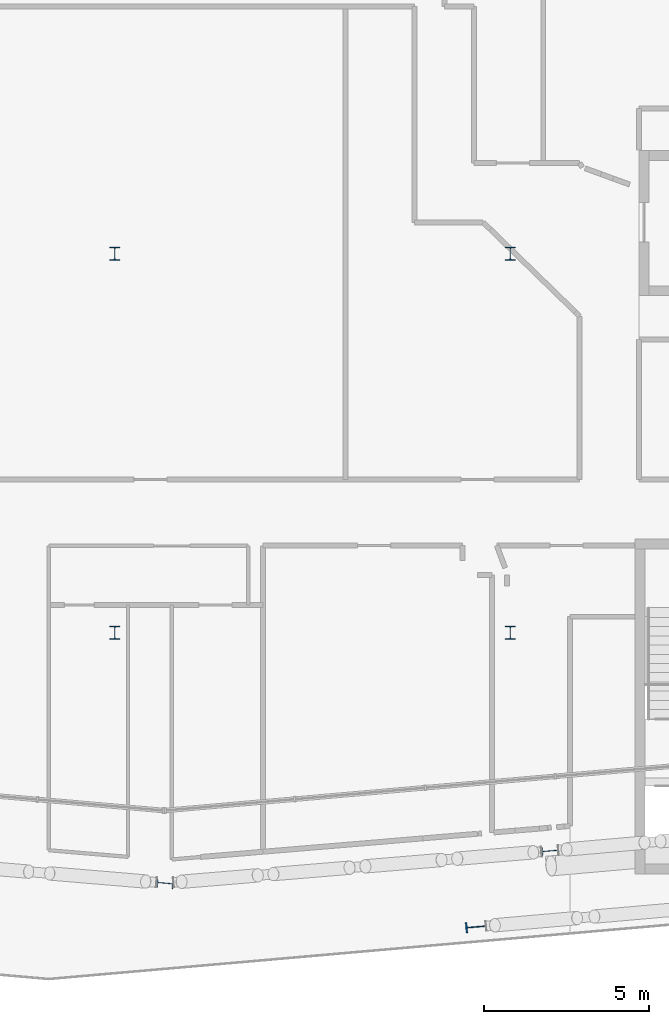
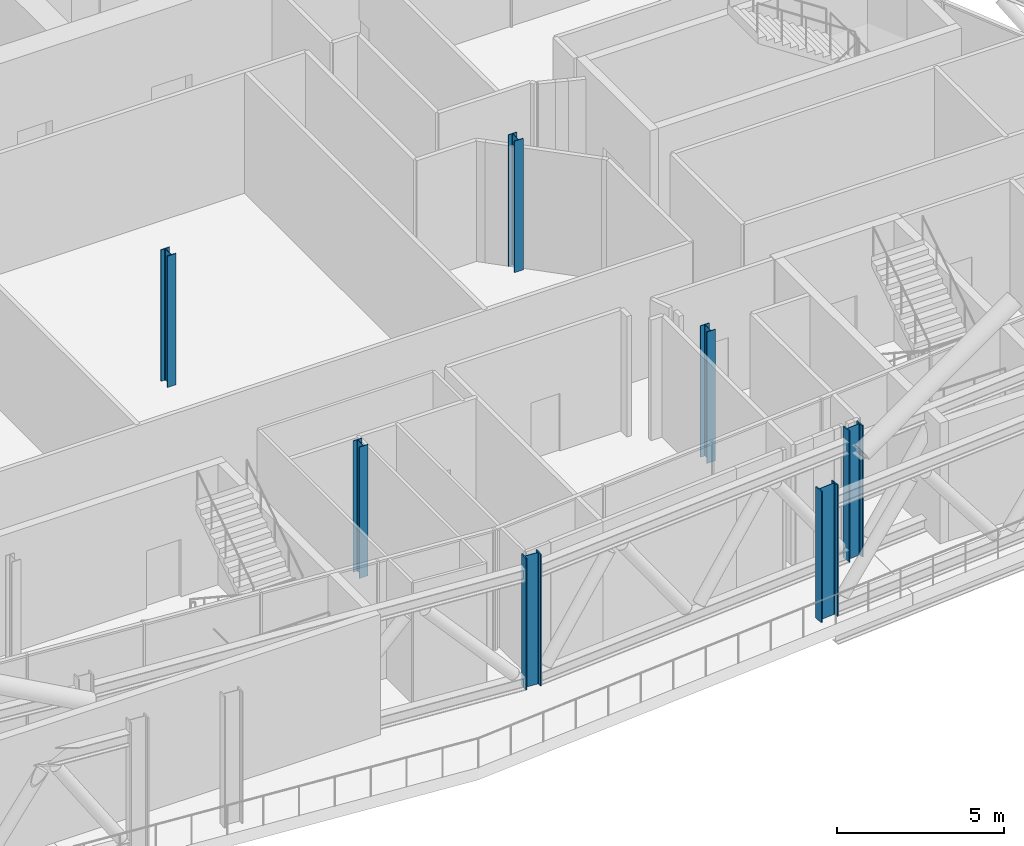
# One storey, part 2 of 35: 7 columns.
"""IFC4 building model written with IfcOpenShell, lengths in metres."""

import ifcopenshell
import ifcopenshell.guid

model = None  # the IFC model being written
_history = None  # IfcOwnerHistory: only IFC2X3 demands one
_inside = {}  # id of a spatial element -> (the spatial element, [elements in it])
_under = {}  # id of a project, library or spatial element -> (it, [spatial elements below it])
_declared = {}  # id of a project -> (the project, [libraries it declares])
_typed = {}  # id of a type object -> (the type object, [elements of that type])
_made_of = {}  # id of a material, layer set ... -> (it, [elements and type objects made of it])


def new_model(schema):
    """Start an empty IFC model of exactly this schema.

    Asked for "IFC4X3", IfcOpenShell would pick the latest addendum, in which some entities
    have other attributes; the version numbers below select the first issue.
    IFC2X3 requires an IfcOwnerHistory on every rooted entity: one is made here for all.
    """
    global model, _history
    if schema == "IFC4X3":
        model = ifcopenshell.file(schema_version=(4, 3, 0, 0))
    else:
        model = ifcopenshell.file(schema=schema)
    _inside.clear()
    _under.clear()
    _declared.clear()
    _typed.clear()
    _made_of.clear()
    _history = None
    if model.schema == "IFC2X3":
        org = make("IfcOrganization", Name="unknown")
        user = make(
            "IfcPersonAndOrganization",
            ThePerson=make("IfcPerson", FamilyName="unknown"),
            TheOrganization=org,
        )
        app = make(
            "IfcApplication",
            ApplicationDeveloper=org,
            Version="unknown",
            ApplicationFullName="unknown",
            ApplicationIdentifier="unknown",
        )
        _history = make(
            "IfcOwnerHistory",
            OwningUser=user,
            OwningApplication=app,
            ChangeAction="ADDED",
            CreationDate=0,
        )
    return model


def make(cls, **values):
    """One entity of the class cls with the attributes given. An attribute that is None is left unset."""
    return model.create_entity(
        cls, **{name: value for name, value in values.items() if value is not None}
    )


def rooted(cls, **values):
    """An entity with a GlobalId (a new one), such as an element, a storey or a relation."""
    return make(cls, GlobalId=ifcopenshell.guid.new(), OwnerHistory=_history, **values)


def si_unit(unit_type, name, prefix=None):
    """IfcSIUnit, for example si_unit("LENGTHUNIT", "METRE", prefix="MILLI")."""
    return make("IfcSIUnit", UnitType=unit_type, Prefix=prefix, Name=name)


def assignment(units):
    """IfcUnitAssignment: the units of a project."""
    return None if units is None else make("IfcUnitAssignment", Units=units)


def point(xyz):
    """IfcCartesianPoint."""
    return None if xyz is None else make("IfcCartesianPoint", Coordinates=xyz)


def direction(xyz):
    """IfcDirection."""
    return None if xyz is None else make("IfcDirection", DirectionRatios=xyz)


def frame(location, z_axis=None, x_axis=None):
    """IfcAxis2Placement3D, a coordinate frame: its origin and axes. An axis left out is left unset."""
    return make(
        "IfcAxis2Placement3D",
        Location=point(location),
        Axis=direction(z_axis),
        RefDirection=direction(x_axis),
    )


def frame_2d(location, x_axis=None):
    """IfcAxis2Placement2D, a coordinate frame in the plane: its origin and x axis."""
    return make(
        "IfcAxis2Placement2D", Location=point(location), RefDirection=direction(x_axis)
    )


def origin():
    """The frame at (0, 0, 0) with its axes left unset."""
    return frame((0.0, 0.0, 0.0))


def origin_2d():
    """The frame at (0, 0) in the plane with its x axis left unset."""
    return frame_2d((0.0, 0.0))


def place(relative_to, where):
    """IfcLocalPlacement: puts the frame where relative to a parent placement (None: the world)."""
    return make(
        "IfcLocalPlacement", PlacementRelTo=relative_to, RelativePlacement=where
    )


def context(
    kind, dimensions, precision=None, world=None, true_north=None, identifier=None
):
    """IfcGeometricRepresentationContext, for example the 3D "Model" context."""
    return make(
        "IfcGeometricRepresentationContext",
        ContextIdentifier=identifier,
        ContextType=kind,
        CoordinateSpaceDimension=dimensions,
        Precision=precision,
        WorldCoordinateSystem=world,
        TrueNorth=true_north,
    )


def subcontext(parent, identifier, kind, view, scale=None):
    """IfcGeometricRepresentationSubContext, for example "Body" below "Model"."""
    return make(
        "IfcGeometricRepresentationSubContext",
        ContextIdentifier=identifier,
        ContextType=kind,
        ParentContext=parent,
        TargetScale=scale,
        TargetView=view,
    )


def project(units=None, contexts=None):
    """IfcProject with its units and contexts."""
    return rooted(
        "IfcProject",
        Name="project",
        RepresentationContexts=contexts,
        UnitsInContext=assignment(units),
    )


def spatial(cls, under=None, at=None, **own):
    """A site, building, storey or space (cls), placed at a placement, below another one or the project."""
    s = rooted(cls, ObjectPlacement=at, **own)
    if under is not None:
        _under.setdefault(under.id(), (under, []))[1].append(s)
    return s


def profile(cls, at=None, kind="AREA", **sizes):
    """A parametric profile (cls). Its sizes go by their IFC names, for example OverallWidth=200.0."""
    return make(cls, ProfileType=kind, Position=at, **sizes)


def i_section(**sizes):
    """IfcIShapeProfileDef."""
    return profile("IfcIShapeProfileDef", **sizes)


def extrude(swept, where, along, depth):
    """IfcExtrudedAreaSolid: the profile swept, set in the frame where, extruded along a direction by depth."""
    return make(
        "IfcExtrudedAreaSolid",
        SweptArea=swept,
        Position=where,
        ExtrudedDirection=direction(along),
        Depth=depth,
    )


def shape(context_of_items, identifier, shape_type, items):
    """IfcShapeRepresentation: the items that make up one representation, for example the "Body"."""
    return make(
        "IfcShapeRepresentation",
        ContextOfItems=context_of_items,
        RepresentationIdentifier=identifier,
        RepresentationType=shape_type,
        Items=items,
    )


def material(Name=None, Category=None):
    """IfcMaterial."""
    return make("IfcMaterial", Name=Name, Category=Category)


def material_profile(
    of_material, cross_section, Name=None, Category=None, Priority=None
):
    """IfcMaterialProfile: a cross section and its material."""
    return make(
        "IfcMaterialProfile",
        Name=Name,
        Material=of_material,
        Profile=cross_section,
        Priority=Priority,
        Category=Category,
    )


def profile_set(profiles, Name=None, composite=None):
    """IfcMaterialProfileSet."""
    return make(
        "IfcMaterialProfileSet",
        Name=Name,
        MaterialProfiles=profiles,
        CompositeProfile=composite,
    )


def made_of(thing, what):
    """Note that an element or type object is made of a material, layer set ...; save() writes the relation."""
    if what is not None:
        _made_of.setdefault(what.id(), (what, []))[1].append(thing)
    return thing


def type_object(cls, material=None, **own):
    """A type object (cls), such as IfcWallType, which elements share."""
    return made_of(rooted(cls, **own), material)


def element(
    cls,
    number,
    at=None,
    inside=None,
    cuts=None,
    type_object=None,
    material=None,
    context=None,
    identifier="Body",
    shape_type=None,
    held_by="IfcProductDefinitionShape",
    body=None,
    shapes=None,
    **own,
):
    """One element of the class cls, such as IfcWall. Its Tag is "e" and its number.

    at: its placement. inside: the storey or other place that contains it. cuts: it is an
    opening in that element (IfcRelVoidsElement). A single representation is given by context,
    identifier, shape_type and body (its items); several are given by shapes. held_by: the class
    of the entity that holds the representations. save() writes the other relations.
    """
    e = rooted(cls, Tag="e%d" % number, ObjectPlacement=at, **own)
    if body is not None:
        shapes = [shape(context, identifier, shape_type, body)]
    if shapes is not None:
        e.Representation = make(held_by, Representations=shapes)
    if inside is not None:
        _inside.setdefault(inside.id(), (inside, []))[1].append(e)
    if cuts is not None:
        rooted(
            "IfcRelVoidsElement", RelatingBuildingElement=cuts, RelatedOpeningElement=e
        )
    if type_object is not None:
        _typed.setdefault(type_object.id(), (type_object, []))[1].append(e)
    return made_of(e, material)


def aggregate(whole, parts):
    """IfcRelAggregates: a whole, such as a stair, and the parts it consists of."""
    return rooted("IfcRelAggregates", RelatingObject=whole, RelatedObjects=parts)


def save(model, path):
    """Write the relations noted so far, then the file.

    IfcRelAggregates (storeys below a building ...), IfcRelContainedInSpatialStructure (elements
    in a storey), IfcRelDefinesByType, IfcRelAssociatesMaterial and IfcRelDeclares: one each for
    every whole, place, type object, material and project.
    """
    for whole, parts in _under.values():
        aggregate(whole, parts)
    for where, things in _inside.values():
        rooted(
            "IfcRelContainedInSpatialStructure",
            RelatedElements=things,
            RelatingStructure=where,
        )
    for kind, things in _typed.values():
        rooted("IfcRelDefinesByType", RelatedObjects=things, RelatingType=kind)
    for what, things in _made_of.values():
        rooted("IfcRelAssociatesMaterial", RelatedObjects=things, RelatingMaterial=what)
    for by, libraries in _declared.values():
        rooted("IfcRelDeclares", RelatingContext=by, RelatedDefinitions=libraries)
    model.write(path)


model = new_model("IFC4")

# Units and contexts
model_context = context("Model", 3, precision=1e-05, world=origin(), true_north=direction((0.0, 1.0)))
body_context = subcontext(model_context, "Body", "Model", "MODEL_VIEW")
ifc_project = project(units=[si_unit("LENGTHUNIT", "METRE"), si_unit("AREAUNIT", "SQUARE_METRE"), si_unit("VOLUMEUNIT", "CUBIC_METRE"), si_unit("PLANEANGLEUNIT", "RADIAN"), si_unit("MASSUNIT", "GRAM", prefix="KILO")], contexts=[model_context])

# Site, building, storey
site_placement = place(None, origin())
site = spatial("IfcSite", under=ifc_project, at=site_placement, CompositionType="ELEMENT")
building_placement = place(site_placement, origin())
building = spatial("IfcBuilding", under=site, at=building_placement, Name="Wharfspan Tower", CompositionType="ELEMENT")
storey_placement = place(building_placement, frame((0.0, 0.0, 202.300049)))
storey = spatial("IfcBuildingStorey", under=building, at=storey_placement, Name="L50", CompositionType="ELEMENT", Elevation=202.300049)

# Columns
ifc_material = material(Name="Steel S355J2", Category="steel")
ifc_material_profile_1 = material_profile(ifc_material, i_section(OverallWidth=0.300049, OverallDepth=0.399902, WebThickness=0.013428, FlangeThickness=0.023926, FilletRadius=0.0271, at=origin_2d()))
ifc_profile_set_1 = profile_set([ifc_material_profile_1], Name="Steel S355J2")
column_type_1 = type_object("IfcColumnType", Name="Column HEB 400", PredefinedType="COLUMN", material=ifc_profile_set_1)
for number, where, z_axis, x_axis, name in (
    (1, (48.0, 11.5, 0.0), (0.0, 0.0, 1.0), (1.0, 0.0, 0.0), "Interior column I.1.3 L50"),
    (2, (60.0, 11.5, 0.0), (0.0, 0.0, 1.0), (1.0, 0.0, 0.0), "Interior column I.1.4 L50"),
    (3, (48.0, 23.0, 0.0), (0.0, 0.0, 1.0), (1.0, 0.0, 0.0), "Interior column I.2.3 L50"),
    (4, (60.0, 23.0, 0.0), (0.0, 0.0, 1.0), (1.0, 0.0, 0.0), "Interior column I.2.4 L50"),
):
    element("IfcColumn", number, at=place(storey_placement, frame(where, z_axis=z_axis, x_axis=x_axis)), inside=storey, type_object=column_type_1, Name=name, PredefinedType="COLUMN", context=body_context, shape_type="SweptSolid", body=[
        extrude(i_section(OverallWidth=0.300049, OverallDepth=0.399902, WebThickness=0.013428, FlangeThickness=0.023926, FilletRadius=0.0271, at=origin_2d()), origin(), (0.0, 0.0, 1.0), 4.800049),
    ])
ifc_material_profile_2 = material_profile(ifc_material, i_section(OverallWidth=0.305908, OverallDepth=0.523926, WebThickness=0.020996, FlangeThickness=0.040039, FilletRadius=0.0271, at=origin_2d()))
ifc_profile_set_2 = profile_set([ifc_material_profile_2], Name="Steel S355J2")
column_type_2 = type_object("IfcColumnType", Name="Column HEM 500", PredefinedType="COLUMN", material=ifc_profile_set_2)
for number, where, z_axis, x_axis, name in (
    (5, (49.522949, 3.9021, 0.0), (0.0, 0.0, 1.0), (-0.087156, -0.996197, 0.0), "Perimeter column PS1.3 L50"),
    (6, (61.202393, 4.879395, 0.0), (0.0, 0.0, 1.0), (0.087156, -0.996197, 0.0), "Perimeter column PS2.1 L50"),
):
    element("IfcColumn", number, at=place(storey_placement, frame(where, z_axis=z_axis, x_axis=x_axis)), inside=storey, type_object=column_type_2, Name=name, PredefinedType="COLUMN", context=body_context, shape_type="SweptSolid", body=[
        extrude(i_section(OverallWidth=0.305908, OverallDepth=0.523926, WebThickness=0.020996, FlangeThickness=0.040039, FilletRadius=0.0271, at=origin_2d()), origin(), (0.0, 0.0, 1.0), 4.800049),
    ])
ifc_material_profile_3 = material_profile(ifc_material, i_section(OverallWidth=0.304932, OverallDepth=0.620117, WebThickness=0.020996, FlangeThickness=0.040039, FilletRadius=0.0271, at=origin_2d()))
ifc_profile_set_3 = profile_set([ifc_material_profile_3], Name="Steel S355J2")
column_type_3 = type_object("IfcColumnType", Name="Column HEM 600", PredefinedType="COLUMN", material=ifc_profile_set_3)
column_placement = place(storey_placement, frame((58.960693, 2.573486, 0.0), z_axis=(0.0, 0.0, 1.0), x_axis=(0.087156, -0.996198, 0.0)))
element("IfcColumn", 7, at=column_placement, inside=storey, type_object=column_type_3, Name="Perimeter column PS2.1.S L50", PredefinedType="COLUMN", context=body_context, shape_type="SweptSolid", body=[
    extrude(i_section(OverallWidth=0.304932, OverallDepth=0.620117, WebThickness=0.020996, FlangeThickness=0.040039, FilletRadius=0.0271, at=origin_2d()), origin(), (0.0, 0.0, 1.0), 4.800049),
])

save(model, "model.ifc")
